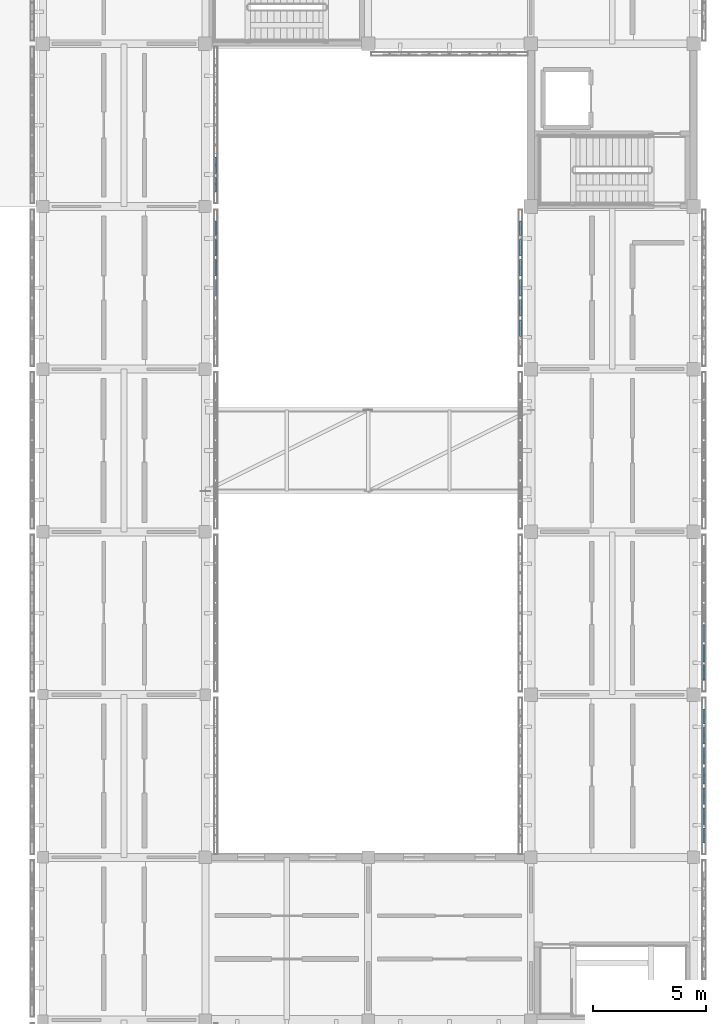
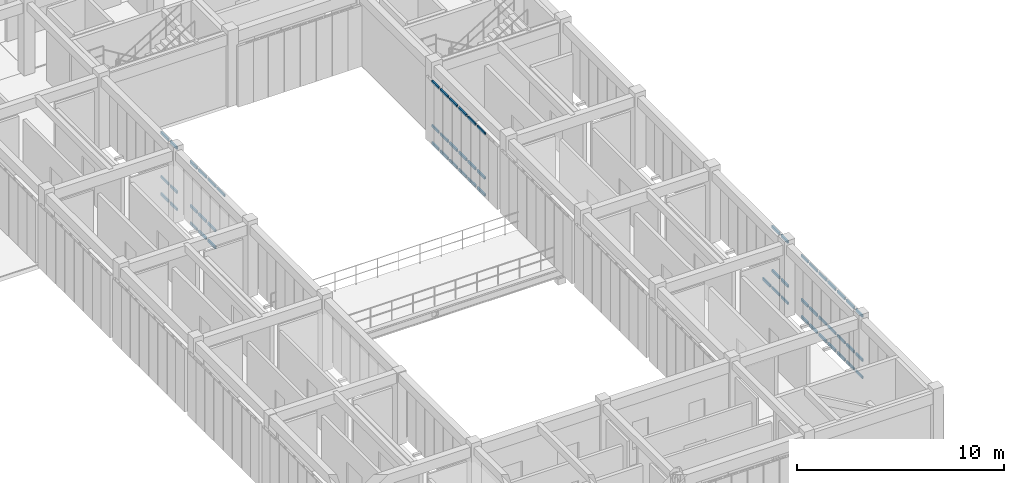
# One storey, part 38 of 91: 62 members, 5 elements without a shape of their own.
"""IFC4 building model written with IfcOpenShell, lengths in metres."""

from ifc_helpers import new_model, si_unit, direction, frame, origin, origin_2d, place, context, subcontext, project, spatial, hollow_rectangle, extrude, material, material_profile, profile_set, type_object, element, aggregate, save


model = new_model("IFC4")

# Units and contexts
model_context = context("Model", 3, precision=1e-05, world=origin(), true_north=direction((0.0, 1.0)))
body_context = subcontext(model_context, "Body", "Model", "MODEL_VIEW")
ifc_project = project(units=[si_unit("LENGTHUNIT", "METRE"), si_unit("AREAUNIT", "SQUARE_METRE"), si_unit("VOLUMEUNIT", "CUBIC_METRE"), si_unit("PLANEANGLEUNIT", "RADIAN"), si_unit("MASSUNIT", "GRAM", prefix="KILO")], contexts=[model_context])

# Site, building, storey
site_placement = place(None, origin())
site = spatial("IfcSite", under=ifc_project, at=site_placement, CompositionType="ELEMENT")
building_placement = place(site_placement, origin())
building = spatial("IfcBuilding", under=site, at=building_placement, Name="Aldebral Square Health Centre", CompositionType="ELEMENT")
storey_placement = place(building_placement, frame((0.0, 0.0, 9.0)))
storey = spatial("IfcBuildingStorey", under=building, at=storey_placement, Name="L02", CompositionType="ELEMENT", Elevation=9.0)

# Curtain wall, members
ifc_material_1 = material(Name="Aluminium and low-E solar glass", Category="aluminium")
curtain_wall_type = type_object("IfcCurtainWallType", Name="CW-FIN-SYS", PredefinedType="USERDEFINED", material=ifc_material_1)
curtain_wall_1_placement = place(storey_placement, origin())
curtain_wall_1 = element("IfcCurtainWall", 1, at=curtain_wall_1_placement, inside=storey, type_object=curtain_wall_type, Name="L02 V5 finned curtain wall L02-V5-19-12-E", ObjectType="SOLAR_CURTAIN_WALL", PredefinedType="USERDEFINED")
ifc_material_2 = material(Name="Anodised aluminium transom", Category="aluminium")
ifc_material_profile = material_profile(ifc_material_2, hollow_rectangle(XDim=0.074951171875, YDim=0.14990234375, WallThickness=0.00390625, at=origin_2d()), Name="CWT 75x150x4")
ifc_profile_set = profile_set([ifc_material_profile], Name="Anodised aluminium transom")
member_type = type_object("IfcMemberType", Name="CWT-STD", PredefinedType="USERDEFINED", material=ifc_profile_set)
member_1_placement = place(storey_placement, frame((144.4599609375, 89.63427734375, 3.652587890625), z_axis=(0.0, 1.0, 0.0), x_axis=(-1.0, 0.0, 0.0)))
member_1 = element("IfcMember", 2, at=member_1_placement, type_object=member_type, Name="CW1 transom 4.3", ObjectType="TRANSOM", PredefinedType="USERDEFINED", context=body_context, shape_type="SweptSolid", body=[
    extrude(hollow_rectangle(XDim=0.074951171875, YDim=0.14990234375, WallThickness=0.00390625, at=origin_2d()), origin(), (0.0, 0.0, 1.0), 0.7314453125),
])
member_2_placement = place(storey_placement, frame((144.4599609375, 90.525634765625, 0.03759765625), z_axis=(0.0, 1.0, 0.0), x_axis=(-1.0, 0.0, 0.0)))
member_2 = element("IfcMember", 3, at=member_2_placement, type_object=member_type, Name="CW1 transom 5.1", ObjectType="TRANSOM", PredefinedType="USERDEFINED", context=body_context, shape_type="SweptSolid", body=[
    extrude(hollow_rectangle(XDim=0.074951171875, YDim=0.14990234375, WallThickness=0.00390625, at=origin_2d()), origin(), (0.0, 0.0, 1.0), 0.7314453125),
])
member_3_placement = place(storey_placement, frame((144.4599609375, 90.525634765625, 1.050048828125), z_axis=(0.0, 1.0, 0.0), x_axis=(-1.0, 0.0, 0.0)))
member_3 = element("IfcMember", 4, at=member_3_placement, type_object=member_type, Name="CW1 transom 5.2", ObjectType="TRANSOM", PredefinedType="USERDEFINED", context=body_context, shape_type="SweptSolid", body=[
    extrude(hollow_rectangle(XDim=0.074951171875, YDim=0.14990234375, WallThickness=0.00390625, at=origin_2d()), origin(), (0.0, 0.0, 1.0), 0.7314453125),
])
member_4_placement = place(storey_placement, frame((144.4599609375, 90.525634765625, 3.652587890625), z_axis=(0.0, 1.0, 0.0), x_axis=(-1.0, 0.0, 0.0)))
member_4 = element("IfcMember", 5, at=member_4_placement, type_object=member_type, Name="CW1 transom 5.3", ObjectType="TRANSOM", PredefinedType="USERDEFINED", context=body_context, shape_type="SweptSolid", body=[
    extrude(hollow_rectangle(XDim=0.074951171875, YDim=0.14990234375, WallThickness=0.00390625, at=origin_2d()), origin(), (0.0, 0.0, 1.0), 0.7314453125),
])
member_5_placement = place(storey_placement, frame((144.4599609375, 91.417236328125, 0.03759765625), z_axis=(0.0, 1.0, 0.0), x_axis=(-1.0, 0.0, 0.0)))
member_5 = element("IfcMember", 6, at=member_5_placement, type_object=member_type, Name="CW1 transom 6.1", ObjectType="TRANSOM", PredefinedType="USERDEFINED", context=body_context, shape_type="SweptSolid", body=[
    extrude(hollow_rectangle(XDim=0.074951171875, YDim=0.14990234375, WallThickness=0.00390625, at=origin_2d()), origin(), (0.0, 0.0, 1.0), 0.7314453125),
])
member_6_placement = place(storey_placement, frame((144.4599609375, 91.417236328125, 1.050048828125), z_axis=(0.0, 1.0, 0.0), x_axis=(-1.0, 0.0, 0.0)))
member_6 = element("IfcMember", 7, at=member_6_placement, type_object=member_type, Name="CW1 transom 6.2", ObjectType="TRANSOM", PredefinedType="USERDEFINED", context=body_context, shape_type="SweptSolid", body=[
    extrude(hollow_rectangle(XDim=0.074951171875, YDim=0.14990234375, WallThickness=0.00390625, at=origin_2d()), origin(), (0.0, 0.0, 1.0), 0.7314453125),
])
member_7_placement = place(storey_placement, frame((144.4599609375, 91.417236328125, 3.652587890625), z_axis=(0.0, 1.0, 0.0), x_axis=(-1.0, 0.0, 0.0)))
member_7 = element("IfcMember", 8, at=member_7_placement, type_object=member_type, Name="CW1 transom 6.3", ObjectType="TRANSOM", PredefinedType="USERDEFINED", context=body_context, shape_type="SweptSolid", body=[
    extrude(hollow_rectangle(XDim=0.074951171875, YDim=0.14990234375, WallThickness=0.00390625, at=origin_2d()), origin(), (0.0, 0.0, 1.0), 0.7314453125),
])
member_8_placement = place(storey_placement, frame((144.4599609375, 92.30859375, 0.03759765625), z_axis=(0.0, 1.0, 0.0), x_axis=(-1.0, 0.0, 0.0)))
member_8 = element("IfcMember", 9, at=member_8_placement, type_object=member_type, Name="CW1 transom 7.1", ObjectType="TRANSOM", PredefinedType="USERDEFINED", context=body_context, shape_type="SweptSolid", body=[
    extrude(hollow_rectangle(XDim=0.074951171875, YDim=0.14990234375, WallThickness=0.00390625, at=origin_2d()), origin(), (0.0, 0.0, 1.0), 0.6513671875),
])
member_9_placement = place(storey_placement, frame((144.4599609375, 92.30859375, 1.050048828125), z_axis=(0.0, 1.0, 0.0), x_axis=(-1.0, 0.0, 0.0)))
member_9 = element("IfcMember", 10, at=member_9_placement, type_object=member_type, Name="CW1 transom 7.2", ObjectType="TRANSOM", PredefinedType="USERDEFINED", context=body_context, shape_type="SweptSolid", body=[
    extrude(hollow_rectangle(XDim=0.074951171875, YDim=0.14990234375, WallThickness=0.00390625, at=origin_2d()), origin(), (0.0, 0.0, 1.0), 0.6513671875),
])
member_10_placement = place(storey_placement, frame((144.4599609375, 92.30859375, 3.652587890625), z_axis=(0.0, 1.0, 0.0), x_axis=(-1.0, 0.0, 0.0)))
member_10 = element("IfcMember", 11, at=member_10_placement, type_object=member_type, Name="CW1 transom 7.3", ObjectType="TRANSOM", PredefinedType="USERDEFINED", context=body_context, shape_type="SweptSolid", body=[
    extrude(hollow_rectangle(XDim=0.074951171875, YDim=0.14990234375, WallThickness=0.00390625, at=origin_2d()), origin(), (0.0, 0.0, 1.0), 0.6513671875),
])
aggregate(curtain_wall_1, [member_1, member_2, member_3, member_4, member_5, member_6, member_7, member_8, member_9, member_10])

curtain_wall_2_placement = place(storey_placement, origin())
curtain_wall_2 = element("IfcCurtainWall", 12, at=curtain_wall_2_placement, inside=storey, type_object=curtain_wall_type, Name="L02 V5 finned curtain wall L02-V5-19-13-E", ObjectType="SOLAR_CURTAIN_WALL", PredefinedType="USERDEFINED")
member_11_placement = place(storey_placement, frame((144.4599609375, 94.239990234375, 0.03759765625), z_axis=(0.0, 1.0, 0.0), x_axis=(-1.0, 0.0, 0.0)))
member_11 = element("IfcMember", 13, at=member_11_placement, type_object=member_type, Name="CW1 transom 1.1", ObjectType="TRANSOM", PredefinedType="USERDEFINED", context=body_context, shape_type="SweptSolid", body=[
    extrude(hollow_rectangle(XDim=0.074951171875, YDim=0.14990234375, WallThickness=0.00390625, at=origin_2d()), origin(), (0.0, 0.0, 1.0), 0.6513671875),
])
member_12_placement = place(storey_placement, frame((144.4599609375, 94.239990234375, 1.050048828125), z_axis=(0.0, 1.0, 0.0), x_axis=(-1.0, 0.0, 0.0)))
member_12 = element("IfcMember", 14, at=member_12_placement, type_object=member_type, Name="CW1 transom 1.2", ObjectType="TRANSOM", PredefinedType="USERDEFINED", context=body_context, shape_type="SweptSolid", body=[
    extrude(hollow_rectangle(XDim=0.074951171875, YDim=0.14990234375, WallThickness=0.00390625, at=origin_2d()), origin(), (0.0, 0.0, 1.0), 0.6513671875),
])
member_13_placement = place(storey_placement, frame((144.4599609375, 94.239990234375, 3.652587890625), z_axis=(0.0, 1.0, 0.0), x_axis=(-1.0, 0.0, 0.0)))
member_13 = element("IfcMember", 15, at=member_13_placement, type_object=member_type, Name="CW1 transom 1.3", ObjectType="TRANSOM", PredefinedType="USERDEFINED", context=body_context, shape_type="SweptSolid", body=[
    extrude(hollow_rectangle(XDim=0.074951171875, YDim=0.14990234375, WallThickness=0.00390625, at=origin_2d()), origin(), (0.0, 0.0, 1.0), 0.6513671875),
])
member_14_placement = place(storey_placement, frame((144.4599609375, 95.051513671875, 0.03759765625), z_axis=(0.0, 1.0, 0.0), x_axis=(-1.0, 0.0, 0.0)))
member_14 = element("IfcMember", 16, at=member_14_placement, type_object=member_type, Name="CW1 transom 2.1", ObjectType="TRANSOM", PredefinedType="USERDEFINED", context=body_context, shape_type="SweptSolid", body=[
    extrude(hollow_rectangle(XDim=0.074951171875, YDim=0.14990234375, WallThickness=0.00390625, at=origin_2d()), origin(), (0.0, 0.0, 1.0), 0.7314453125),
])
member_15_placement = place(storey_placement, frame((144.4599609375, 95.051513671875, 1.050048828125), z_axis=(0.0, 1.0, 0.0), x_axis=(-1.0, 0.0, 0.0)))
member_15 = element("IfcMember", 17, at=member_15_placement, type_object=member_type, Name="CW1 transom 2.2", ObjectType="TRANSOM", PredefinedType="USERDEFINED", context=body_context, shape_type="SweptSolid", body=[
    extrude(hollow_rectangle(XDim=0.074951171875, YDim=0.14990234375, WallThickness=0.00390625, at=origin_2d()), origin(), (0.0, 0.0, 1.0), 0.7314453125),
])
member_16_placement = place(storey_placement, frame((144.4599609375, 95.051513671875, 3.652587890625), z_axis=(0.0, 1.0, 0.0), x_axis=(-1.0, 0.0, 0.0)))
member_16 = element("IfcMember", 18, at=member_16_placement, type_object=member_type, Name="CW1 transom 2.3", ObjectType="TRANSOM", PredefinedType="USERDEFINED", context=body_context, shape_type="SweptSolid", body=[
    extrude(hollow_rectangle(XDim=0.074951171875, YDim=0.14990234375, WallThickness=0.00390625, at=origin_2d()), origin(), (0.0, 0.0, 1.0), 0.7314453125),
])
aggregate(curtain_wall_2, [member_11, member_12, member_13, member_14, member_15, member_16])

curtain_wall_3_placement = place(storey_placement, origin())
curtain_wall_3 = element("IfcCurtainWall", 19, at=curtain_wall_3_placement, inside=storey, type_object=curtain_wall_type, Name="L02 V5 finned curtain wall L02-V5-22-09-E", ObjectType="SOLAR_CURTAIN_WALL", PredefinedType="USERDEFINED")
member_17_placement = place(storey_placement, frame((166.06005859375, 65.43994140625, 0.03759765625), z_axis=(0.0, 1.0, 0.0), x_axis=(-1.0, 0.0, 0.0)))
member_17 = element("IfcMember", 20, at=member_17_placement, type_object=member_type, Name="CW1 transom 1.1", ObjectType="TRANSOM", PredefinedType="USERDEFINED", context=body_context, shape_type="SweptSolid", body=[
    extrude(hollow_rectangle(XDim=0.074951171875, YDim=0.14990234375, WallThickness=0.00390625, at=origin_2d()), origin(), (0.0, 0.0, 1.0), 0.6513671875),
])
member_18_placement = place(storey_placement, frame((166.06005859375, 65.43994140625, 1.050048828125), z_axis=(0.0, 1.0, 0.0), x_axis=(-1.0, 0.0, 0.0)))
member_18 = element("IfcMember", 21, at=member_18_placement, type_object=member_type, Name="CW1 transom 1.2", ObjectType="TRANSOM", PredefinedType="USERDEFINED", context=body_context, shape_type="SweptSolid", body=[
    extrude(hollow_rectangle(XDim=0.074951171875, YDim=0.14990234375, WallThickness=0.00390625, at=origin_2d()), origin(), (0.0, 0.0, 1.0), 0.6513671875),
])
member_19_placement = place(storey_placement, frame((166.06005859375, 65.43994140625, 3.652587890625), z_axis=(0.0, 1.0, 0.0), x_axis=(-1.0, 0.0, 0.0)))
member_19 = element("IfcMember", 22, at=member_19_placement, type_object=member_type, Name="CW1 transom 1.3", ObjectType="TRANSOM", PredefinedType="USERDEFINED", context=body_context, shape_type="SweptSolid", body=[
    extrude(hollow_rectangle(XDim=0.074951171875, YDim=0.14990234375, WallThickness=0.00390625, at=origin_2d()), origin(), (0.0, 0.0, 1.0), 0.6513671875),
])
member_20_placement = place(storey_placement, frame((166.06005859375, 66.25146484375, 0.03759765625), z_axis=(0.0, 1.0, 0.0), x_axis=(-1.0, 0.0, 0.0)))
member_20 = element("IfcMember", 23, at=member_20_placement, type_object=member_type, Name="CW1 transom 2.1", ObjectType="TRANSOM", PredefinedType="USERDEFINED", context=body_context, shape_type="SweptSolid", body=[
    extrude(hollow_rectangle(XDim=0.074951171875, YDim=0.14990234375, WallThickness=0.00390625, at=origin_2d()), origin(), (0.0, 0.0, 1.0), 0.7314453125),
])
member_21_placement = place(storey_placement, frame((166.06005859375, 66.25146484375, 1.050048828125), z_axis=(0.0, 1.0, 0.0), x_axis=(-1.0, 0.0, 0.0)))
member_21 = element("IfcMember", 24, at=member_21_placement, type_object=member_type, Name="CW1 transom 2.2", ObjectType="TRANSOM", PredefinedType="USERDEFINED", context=body_context, shape_type="SweptSolid", body=[
    extrude(hollow_rectangle(XDim=0.074951171875, YDim=0.14990234375, WallThickness=0.00390625, at=origin_2d()), origin(), (0.0, 0.0, 1.0), 0.7314453125),
])
member_22_placement = place(storey_placement, frame((166.06005859375, 66.25146484375, 3.652587890625), z_axis=(0.0, 1.0, 0.0), x_axis=(-1.0, 0.0, 0.0)))
member_22 = element("IfcMember", 25, at=member_22_placement, type_object=member_type, Name="CW1 transom 2.3", ObjectType="TRANSOM", PredefinedType="USERDEFINED", context=body_context, shape_type="SweptSolid", body=[
    extrude(hollow_rectangle(XDim=0.074951171875, YDim=0.14990234375, WallThickness=0.00390625, at=origin_2d()), origin(), (0.0, 0.0, 1.0), 0.7314453125),
])
member_23_placement = place(storey_placement, frame((166.06005859375, 67.142822265625, 0.03759765625), z_axis=(0.0, 1.0, 0.0), x_axis=(-1.0, 0.0, 0.0)))
member_23 = element("IfcMember", 26, at=member_23_placement, type_object=member_type, Name="CW1 transom 3.1", ObjectType="TRANSOM", PredefinedType="USERDEFINED", context=body_context, shape_type="SweptSolid", body=[
    extrude(hollow_rectangle(XDim=0.074951171875, YDim=0.14990234375, WallThickness=0.00390625, at=origin_2d()), origin(), (0.0, 0.0, 1.0), 0.7314453125),
])
member_24_placement = place(storey_placement, frame((166.06005859375, 67.142822265625, 1.050048828125), z_axis=(0.0, 1.0, 0.0), x_axis=(-1.0, 0.0, 0.0)))
member_24 = element("IfcMember", 27, at=member_24_placement, type_object=member_type, Name="CW1 transom 3.2", ObjectType="TRANSOM", PredefinedType="USERDEFINED", context=body_context, shape_type="SweptSolid", body=[
    extrude(hollow_rectangle(XDim=0.074951171875, YDim=0.14990234375, WallThickness=0.00390625, at=origin_2d()), origin(), (0.0, 0.0, 1.0), 0.7314453125),
])
member_25_placement = place(storey_placement, frame((166.06005859375, 67.142822265625, 3.652587890625), z_axis=(0.0, 1.0, 0.0), x_axis=(-1.0, 0.0, 0.0)))
member_25 = element("IfcMember", 28, at=member_25_placement, type_object=member_type, Name="CW1 transom 3.3", ObjectType="TRANSOM", PredefinedType="USERDEFINED", context=body_context, shape_type="SweptSolid", body=[
    extrude(hollow_rectangle(XDim=0.074951171875, YDim=0.14990234375, WallThickness=0.00390625, at=origin_2d()), origin(), (0.0, 0.0, 1.0), 0.7314453125),
])
member_26_placement = place(storey_placement, frame((166.06005859375, 68.0341796875, 0.03759765625), z_axis=(0.0, 1.0, 0.0), x_axis=(-1.0, 0.0, 0.0)))
member_26 = element("IfcMember", 29, at=member_26_placement, type_object=member_type, Name="CW1 transom 4.1", ObjectType="TRANSOM", PredefinedType="USERDEFINED", context=body_context, shape_type="SweptSolid", body=[
    extrude(hollow_rectangle(XDim=0.074951171875, YDim=0.14990234375, WallThickness=0.00390625, at=origin_2d()), origin(), (0.0, 0.0, 1.0), 0.7314453125),
])
member_27_placement = place(storey_placement, frame((166.06005859375, 68.0341796875, 1.050048828125), z_axis=(0.0, 1.0, 0.0), x_axis=(-1.0, 0.0, 0.0)))
member_27 = element("IfcMember", 30, at=member_27_placement, type_object=member_type, Name="CW1 transom 4.2", ObjectType="TRANSOM", PredefinedType="USERDEFINED", context=body_context, shape_type="SweptSolid", body=[
    extrude(hollow_rectangle(XDim=0.074951171875, YDim=0.14990234375, WallThickness=0.00390625, at=origin_2d()), origin(), (0.0, 0.0, 1.0), 0.7314453125),
])
member_28_placement = place(storey_placement, frame((166.06005859375, 68.0341796875, 3.652587890625), z_axis=(0.0, 1.0, 0.0), x_axis=(-1.0, 0.0, 0.0)))
member_28 = element("IfcMember", 31, at=member_28_placement, type_object=member_type, Name="CW1 transom 4.3", ObjectType="TRANSOM", PredefinedType="USERDEFINED", context=body_context, shape_type="SweptSolid", body=[
    extrude(hollow_rectangle(XDim=0.074951171875, YDim=0.14990234375, WallThickness=0.00390625, at=origin_2d()), origin(), (0.0, 0.0, 1.0), 0.7314453125),
])
member_29_placement = place(storey_placement, frame((166.06005859375, 68.92578125, 0.03759765625), z_axis=(0.0, 1.0, 0.0), x_axis=(-1.0, 0.0, 0.0)))
member_29 = element("IfcMember", 32, at=member_29_placement, type_object=member_type, Name="CW1 transom 5.1", ObjectType="TRANSOM", PredefinedType="USERDEFINED", context=body_context, shape_type="SweptSolid", body=[
    extrude(hollow_rectangle(XDim=0.074951171875, YDim=0.14990234375, WallThickness=0.00390625, at=origin_2d()), origin(), (0.0, 0.0, 1.0), 0.7314453125),
])
member_30_placement = place(storey_placement, frame((166.06005859375, 68.92578125, 1.050048828125), z_axis=(0.0, 1.0, 0.0), x_axis=(-1.0, 0.0, 0.0)))
member_30 = element("IfcMember", 33, at=member_30_placement, type_object=member_type, Name="CW1 transom 5.2", ObjectType="TRANSOM", PredefinedType="USERDEFINED", context=body_context, shape_type="SweptSolid", body=[
    extrude(hollow_rectangle(XDim=0.074951171875, YDim=0.14990234375, WallThickness=0.00390625, at=origin_2d()), origin(), (0.0, 0.0, 1.0), 0.7314453125),
])
member_31_placement = place(storey_placement, frame((166.06005859375, 68.92578125, 3.652587890625), z_axis=(0.0, 1.0, 0.0), x_axis=(-1.0, 0.0, 0.0)))
member_31 = element("IfcMember", 34, at=member_31_placement, type_object=member_type, Name="CW1 transom 5.3", ObjectType="TRANSOM", PredefinedType="USERDEFINED", context=body_context, shape_type="SweptSolid", body=[
    extrude(hollow_rectangle(XDim=0.074951171875, YDim=0.14990234375, WallThickness=0.00390625, at=origin_2d()), origin(), (0.0, 0.0, 1.0), 0.7314453125),
])
member_32_placement = place(storey_placement, frame((166.06005859375, 69.817138671875, 0.03759765625), z_axis=(0.0, 1.0, 0.0), x_axis=(-1.0, 0.0, 0.0)))
member_32 = element("IfcMember", 35, at=member_32_placement, type_object=member_type, Name="CW1 transom 6.1", ObjectType="TRANSOM", PredefinedType="USERDEFINED", context=body_context, shape_type="SweptSolid", body=[
    extrude(hollow_rectangle(XDim=0.074951171875, YDim=0.14990234375, WallThickness=0.00390625, at=origin_2d()), origin(), (0.0, 0.0, 1.0), 0.7314453125),
])
member_33_placement = place(storey_placement, frame((166.06005859375, 69.817138671875, 1.050048828125), z_axis=(0.0, 1.0, 0.0), x_axis=(-1.0, 0.0, 0.0)))
member_33 = element("IfcMember", 36, at=member_33_placement, type_object=member_type, Name="CW1 transom 6.2", ObjectType="TRANSOM", PredefinedType="USERDEFINED", context=body_context, shape_type="SweptSolid", body=[
    extrude(hollow_rectangle(XDim=0.074951171875, YDim=0.14990234375, WallThickness=0.00390625, at=origin_2d()), origin(), (0.0, 0.0, 1.0), 0.7314453125),
])
member_34_placement = place(storey_placement, frame((166.06005859375, 69.817138671875, 3.652587890625), z_axis=(0.0, 1.0, 0.0), x_axis=(-1.0, 0.0, 0.0)))
member_34 = element("IfcMember", 37, at=member_34_placement, type_object=member_type, Name="CW1 transom 6.3", ObjectType="TRANSOM", PredefinedType="USERDEFINED", context=body_context, shape_type="SweptSolid", body=[
    extrude(hollow_rectangle(XDim=0.074951171875, YDim=0.14990234375, WallThickness=0.00390625, at=origin_2d()), origin(), (0.0, 0.0, 1.0), 0.7314453125),
])
member_35_placement = place(storey_placement, frame((166.06005859375, 70.70849609375, 0.03759765625), z_axis=(0.0, 1.0, 0.0), x_axis=(-1.0, 0.0, 0.0)))
member_35 = element("IfcMember", 38, at=member_35_placement, type_object=member_type, Name="CW1 transom 7.1", ObjectType="TRANSOM", PredefinedType="USERDEFINED", context=body_context, shape_type="SweptSolid", body=[
    extrude(hollow_rectangle(XDim=0.074951171875, YDim=0.14990234375, WallThickness=0.00390625, at=origin_2d()), origin(), (0.0, 0.0, 1.0), 0.651611328125),
])
member_36_placement = place(storey_placement, frame((166.06005859375, 70.70849609375, 1.050048828125), z_axis=(0.0, 1.0, 0.0), x_axis=(-1.0, 0.0, 0.0)))
member_36 = element("IfcMember", 39, at=member_36_placement, type_object=member_type, Name="CW1 transom 7.2", ObjectType="TRANSOM", PredefinedType="USERDEFINED", context=body_context, shape_type="SweptSolid", body=[
    extrude(hollow_rectangle(XDim=0.074951171875, YDim=0.14990234375, WallThickness=0.00390625, at=origin_2d()), origin(), (0.0, 0.0, 1.0), 0.651611328125),
])
member_37_placement = place(storey_placement, frame((166.06005859375, 70.70849609375, 3.652587890625), z_axis=(0.0, 1.0, 0.0), x_axis=(-1.0, 0.0, 0.0)))
member_37 = element("IfcMember", 40, at=member_37_placement, type_object=member_type, Name="CW1 transom 7.3", ObjectType="TRANSOM", PredefinedType="USERDEFINED", context=body_context, shape_type="SweptSolid", body=[
    extrude(hollow_rectangle(XDim=0.074951171875, YDim=0.14990234375, WallThickness=0.00390625, at=origin_2d()), origin(), (0.0, 0.0, 1.0), 0.651611328125),
])
aggregate(curtain_wall_3, [member_17, member_18, member_19, member_20, member_21, member_22, member_23, member_24, member_25, member_26, member_27, member_28, member_29, member_30, member_31, member_32, member_33, member_34, member_35, member_36, member_37])

curtain_wall_4_placement = place(storey_placement, origin())
curtain_wall_4 = element("IfcCurtainWall", 41, at=curtain_wall_4_placement, inside=storey, type_object=curtain_wall_type, Name="L02 V5 finned curtain wall L02-V5-22-10-E", ObjectType="SOLAR_CURTAIN_WALL", PredefinedType="USERDEFINED")
member_38_placement = place(storey_placement, frame((166.06005859375, 72.639892578125, 0.03759765625), z_axis=(0.0, 1.0, 0.0), x_axis=(-1.0, 0.0, 0.0)))
member_38 = element("IfcMember", 42, at=member_38_placement, type_object=member_type, Name="CW1 transom 1.1", ObjectType="TRANSOM", PredefinedType="USERDEFINED", context=body_context, shape_type="SweptSolid", body=[
    extrude(hollow_rectangle(XDim=0.074951171875, YDim=0.14990234375, WallThickness=0.00390625, at=origin_2d()), origin(), (0.0, 0.0, 1.0), 0.651611328125),
])
member_39_placement = place(storey_placement, frame((166.06005859375, 72.639892578125, 1.050048828125), z_axis=(0.0, 1.0, 0.0), x_axis=(-1.0, 0.0, 0.0)))
member_39 = element("IfcMember", 43, at=member_39_placement, type_object=member_type, Name="CW1 transom 1.2", ObjectType="TRANSOM", PredefinedType="USERDEFINED", context=body_context, shape_type="SweptSolid", body=[
    extrude(hollow_rectangle(XDim=0.074951171875, YDim=0.14990234375, WallThickness=0.00390625, at=origin_2d()), origin(), (0.0, 0.0, 1.0), 0.651611328125),
])
member_40_placement = place(storey_placement, frame((166.06005859375, 72.639892578125, 3.652587890625), z_axis=(0.0, 1.0, 0.0), x_axis=(-1.0, 0.0, 0.0)))
member_40 = element("IfcMember", 44, at=member_40_placement, type_object=member_type, Name="CW1 transom 1.3", ObjectType="TRANSOM", PredefinedType="USERDEFINED", context=body_context, shape_type="SweptSolid", body=[
    extrude(hollow_rectangle(XDim=0.074951171875, YDim=0.14990234375, WallThickness=0.00390625, at=origin_2d()), origin(), (0.0, 0.0, 1.0), 0.651611328125),
])
member_41_placement = place(storey_placement, frame((166.06005859375, 73.451416015625, 0.03759765625), z_axis=(0.0, 1.0, 0.0), x_axis=(-1.0, 0.0, 0.0)))
member_41 = element("IfcMember", 45, at=member_41_placement, type_object=member_type, Name="CW1 transom 2.1", ObjectType="TRANSOM", PredefinedType="USERDEFINED", context=body_context, shape_type="SweptSolid", body=[
    extrude(hollow_rectangle(XDim=0.074951171875, YDim=0.14990234375, WallThickness=0.00390625, at=origin_2d()), origin(), (0.0, 0.0, 1.0), 0.7314453125),
])
member_42_placement = place(storey_placement, frame((166.06005859375, 73.451416015625, 1.050048828125), z_axis=(0.0, 1.0, 0.0), x_axis=(-1.0, 0.0, 0.0)))
member_42 = element("IfcMember", 46, at=member_42_placement, type_object=member_type, Name="CW1 transom 2.2", ObjectType="TRANSOM", PredefinedType="USERDEFINED", context=body_context, shape_type="SweptSolid", body=[
    extrude(hollow_rectangle(XDim=0.074951171875, YDim=0.14990234375, WallThickness=0.00390625, at=origin_2d()), origin(), (0.0, 0.0, 1.0), 0.7314453125),
])
member_43_placement = place(storey_placement, frame((166.06005859375, 73.451416015625, 3.652587890625), z_axis=(0.0, 1.0, 0.0), x_axis=(-1.0, 0.0, 0.0)))
member_43 = element("IfcMember", 47, at=member_43_placement, type_object=member_type, Name="CW1 transom 2.3", ObjectType="TRANSOM", PredefinedType="USERDEFINED", context=body_context, shape_type="SweptSolid", body=[
    extrude(hollow_rectangle(XDim=0.074951171875, YDim=0.14990234375, WallThickness=0.00390625, at=origin_2d()), origin(), (0.0, 0.0, 1.0), 0.7314453125),
])
member_44_placement = place(storey_placement, frame((166.06005859375, 74.3427734375, 0.03759765625), z_axis=(0.0, 1.0, 0.0), x_axis=(-1.0, 0.0, 0.0)))
member_44 = element("IfcMember", 48, at=member_44_placement, type_object=member_type, Name="CW1 transom 3.1", ObjectType="TRANSOM", PredefinedType="USERDEFINED", context=body_context, shape_type="SweptSolid", body=[
    extrude(hollow_rectangle(XDim=0.074951171875, YDim=0.14990234375, WallThickness=0.00390625, at=origin_2d()), origin(), (0.0, 0.0, 1.0), 0.7314453125),
])
aggregate(curtain_wall_4, [member_38, member_39, member_40, member_41, member_42, member_43, member_44])

curtain_wall_5_placement = place(storey_placement, origin())
curtain_wall_5 = element("IfcCurtainWall", 49, at=curtain_wall_5_placement, inside=storey, type_object=curtain_wall_type, Name="L02 V5 finned curtain wall L02-V5-22-12-W", ObjectType="SOLAR_CURTAIN_WALL", PredefinedType="USERDEFINED")
member_45_placement = place(storey_placement, frame((157.93994140625, 92.9599609375, 0.03759765625), z_axis=(0.0, -1.0, 0.0), x_axis=(1.0, 0.0, 0.0)))
member_45 = element("IfcMember", 50, at=member_45_placement, type_object=member_type, Name="CW1 transom 1.1", ObjectType="TRANSOM", PredefinedType="USERDEFINED", context=body_context, shape_type="SweptSolid", body=[
    extrude(hollow_rectangle(XDim=0.074951171875, YDim=0.14990234375, WallThickness=0.00390625, at=origin_2d()), origin(), (0.0, 0.0, 1.0), 0.6513671875),
])
member_46_placement = place(storey_placement, frame((157.93994140625, 92.9599609375, 1.050048828125), z_axis=(0.0, -1.0, 0.0), x_axis=(1.0, 0.0, 0.0)))
member_46 = element("IfcMember", 51, at=member_46_placement, type_object=member_type, Name="CW1 transom 1.2", ObjectType="TRANSOM", PredefinedType="USERDEFINED", context=body_context, shape_type="SweptSolid", body=[
    extrude(hollow_rectangle(XDim=0.074951171875, YDim=0.14990234375, WallThickness=0.00390625, at=origin_2d()), origin(), (0.0, 0.0, 1.0), 0.6513671875),
])
member_47_placement = place(storey_placement, frame((157.93994140625, 92.9599609375, 3.652587890625), z_axis=(0.0, -1.0, 0.0), x_axis=(1.0, 0.0, 0.0)))
member_47 = element("IfcMember", 52, at=member_47_placement, type_object=member_type, Name="CW1 transom 1.3", ObjectType="TRANSOM", PredefinedType="USERDEFINED", context=body_context, shape_type="SweptSolid", body=[
    extrude(hollow_rectangle(XDim=0.074951171875, YDim=0.14990234375, WallThickness=0.00390625, at=origin_2d()), origin(), (0.0, 0.0, 1.0), 0.6513671875),
])
member_48_placement = place(storey_placement, frame((157.93994140625, 92.148681640625, 0.03759765625), z_axis=(0.0, -1.0, 0.0), x_axis=(1.0, 0.0, 0.0)))
member_48 = element("IfcMember", 53, at=member_48_placement, type_object=member_type, Name="CW1 transom 2.1", ObjectType="TRANSOM", PredefinedType="USERDEFINED", context=body_context, shape_type="SweptSolid", body=[
    extrude(hollow_rectangle(XDim=0.074951171875, YDim=0.14990234375, WallThickness=0.00390625, at=origin_2d()), origin(), (0.0, 0.0, 1.0), 0.7314453125),
])
member_49_placement = place(storey_placement, frame((157.93994140625, 92.148681640625, 1.050048828125), z_axis=(0.0, -1.0, 0.0), x_axis=(1.0, 0.0, 0.0)))
member_49 = element("IfcMember", 54, at=member_49_placement, type_object=member_type, Name="CW1 transom 2.2", ObjectType="TRANSOM", PredefinedType="USERDEFINED", context=body_context, shape_type="SweptSolid", body=[
    extrude(hollow_rectangle(XDim=0.074951171875, YDim=0.14990234375, WallThickness=0.00390625, at=origin_2d()), origin(), (0.0, 0.0, 1.0), 0.7314453125),
])
member_50_placement = place(storey_placement, frame((157.93994140625, 92.148681640625, 3.652587890625), z_axis=(0.0, -1.0, 0.0), x_axis=(1.0, 0.0, 0.0)))
member_50 = element("IfcMember", 55, at=member_50_placement, type_object=member_type, Name="CW1 transom 2.3", ObjectType="TRANSOM", PredefinedType="USERDEFINED", context=body_context, shape_type="SweptSolid", body=[
    extrude(hollow_rectangle(XDim=0.074951171875, YDim=0.14990234375, WallThickness=0.00390625, at=origin_2d()), origin(), (0.0, 0.0, 1.0), 0.7314453125),
])
member_51_placement = place(storey_placement, frame((157.93994140625, 91.257080078125, 0.03759765625), z_axis=(0.0, -1.0, 0.0), x_axis=(1.0, 0.0, 0.0)))
member_51 = element("IfcMember", 56, at=member_51_placement, type_object=member_type, Name="CW1 transom 3.1", ObjectType="TRANSOM", PredefinedType="USERDEFINED", context=body_context, shape_type="SweptSolid", body=[
    extrude(hollow_rectangle(XDim=0.074951171875, YDim=0.14990234375, WallThickness=0.00390625, at=origin_2d()), origin(), (0.0, 0.0, 1.0), 0.7314453125),
])
member_52_placement = place(storey_placement, frame((157.93994140625, 91.257080078125, 1.050048828125), z_axis=(0.0, -1.0, 0.0), x_axis=(1.0, 0.0, 0.0)))
member_52 = element("IfcMember", 57, at=member_52_placement, type_object=member_type, Name="CW1 transom 3.2", ObjectType="TRANSOM", PredefinedType="USERDEFINED", context=body_context, shape_type="SweptSolid", body=[
    extrude(hollow_rectangle(XDim=0.074951171875, YDim=0.14990234375, WallThickness=0.00390625, at=origin_2d()), origin(), (0.0, 0.0, 1.0), 0.7314453125),
])
member_53_placement = place(storey_placement, frame((157.93994140625, 91.257080078125, 3.652587890625), z_axis=(0.0, -1.0, 0.0), x_axis=(1.0, 0.0, 0.0)))
member_53 = element("IfcMember", 58, at=member_53_placement, type_object=member_type, Name="CW1 transom 3.3", ObjectType="TRANSOM", PredefinedType="USERDEFINED", context=body_context, shape_type="SweptSolid", body=[
    extrude(hollow_rectangle(XDim=0.074951171875, YDim=0.14990234375, WallThickness=0.00390625, at=origin_2d()), origin(), (0.0, 0.0, 1.0), 0.7314453125),
])
member_54_placement = place(storey_placement, frame((157.93994140625, 90.36572265625, 0.03759765625), z_axis=(0.0, -1.0, 0.0), x_axis=(1.0, 0.0, 0.0)))
member_54 = element("IfcMember", 59, at=member_54_placement, type_object=member_type, Name="CW1 transom 4.1", ObjectType="TRANSOM", PredefinedType="USERDEFINED", context=body_context, shape_type="SweptSolid", body=[
    extrude(hollow_rectangle(XDim=0.074951171875, YDim=0.14990234375, WallThickness=0.00390625, at=origin_2d()), origin(), (0.0, 0.0, 1.0), 0.7314453125),
])
member_55_placement = place(storey_placement, frame((157.93994140625, 90.36572265625, 1.050048828125), z_axis=(0.0, -1.0, 0.0), x_axis=(1.0, 0.0, 0.0)))
member_55 = element("IfcMember", 60, at=member_55_placement, type_object=member_type, Name="CW1 transom 4.2", ObjectType="TRANSOM", PredefinedType="USERDEFINED", context=body_context, shape_type="SweptSolid", body=[
    extrude(hollow_rectangle(XDim=0.074951171875, YDim=0.14990234375, WallThickness=0.00390625, at=origin_2d()), origin(), (0.0, 0.0, 1.0), 0.7314453125),
])
member_56_placement = place(storey_placement, frame((157.93994140625, 90.36572265625, 3.652587890625), z_axis=(0.0, -1.0, 0.0), x_axis=(1.0, 0.0, 0.0)))
member_56 = element("IfcMember", 61, at=member_56_placement, type_object=member_type, Name="CW1 transom 4.3", ObjectType="TRANSOM", PredefinedType="USERDEFINED", context=body_context, shape_type="SweptSolid", body=[
    extrude(hollow_rectangle(XDim=0.074951171875, YDim=0.14990234375, WallThickness=0.00390625, at=origin_2d()), origin(), (0.0, 0.0, 1.0), 0.7314453125),
])
member_57_placement = place(storey_placement, frame((157.93994140625, 89.474365234375, 0.03759765625), z_axis=(0.0, -1.0, 0.0), x_axis=(1.0, 0.0, 0.0)))
member_57 = element("IfcMember", 62, at=member_57_placement, type_object=member_type, Name="CW1 transom 5.1", ObjectType="TRANSOM", PredefinedType="USERDEFINED", context=body_context, shape_type="SweptSolid", body=[
    extrude(hollow_rectangle(XDim=0.074951171875, YDim=0.14990234375, WallThickness=0.00390625, at=origin_2d()), origin(), (0.0, 0.0, 1.0), 0.7314453125),
])
member_58_placement = place(storey_placement, frame((157.93994140625, 89.474365234375, 1.050048828125), z_axis=(0.0, -1.0, 0.0), x_axis=(1.0, 0.0, 0.0)))
member_58 = element("IfcMember", 63, at=member_58_placement, type_object=member_type, Name="CW1 transom 5.2", ObjectType="TRANSOM", PredefinedType="USERDEFINED", context=body_context, shape_type="SweptSolid", body=[
    extrude(hollow_rectangle(XDim=0.074951171875, YDim=0.14990234375, WallThickness=0.00390625, at=origin_2d()), origin(), (0.0, 0.0, 1.0), 0.7314453125),
])
member_59_placement = place(storey_placement, frame((157.93994140625, 89.474365234375, 3.652587890625), z_axis=(0.0, -1.0, 0.0), x_axis=(1.0, 0.0, 0.0)))
member_59 = element("IfcMember", 64, at=member_59_placement, type_object=member_type, Name="CW1 transom 5.3", ObjectType="TRANSOM", PredefinedType="USERDEFINED", context=body_context, shape_type="SweptSolid", body=[
    extrude(hollow_rectangle(XDim=0.074951171875, YDim=0.14990234375, WallThickness=0.00390625, at=origin_2d()), origin(), (0.0, 0.0, 1.0), 0.7314453125),
])
member_60_placement = place(storey_placement, frame((157.93994140625, 88.582763671875, 0.03759765625), z_axis=(0.0, -1.0, 0.0), x_axis=(1.0, 0.0, 0.0)))
member_60 = element("IfcMember", 65, at=member_60_placement, type_object=member_type, Name="CW1 transom 6.1", ObjectType="TRANSOM", PredefinedType="USERDEFINED", context=body_context, shape_type="SweptSolid", body=[
    extrude(hollow_rectangle(XDim=0.074951171875, YDim=0.14990234375, WallThickness=0.00390625, at=origin_2d()), origin(), (0.0, 0.0, 1.0), 0.7314453125),
])
member_61_placement = place(storey_placement, frame((157.93994140625, 88.582763671875, 1.050048828125), z_axis=(0.0, -1.0, 0.0), x_axis=(1.0, 0.0, 0.0)))
member_61 = element("IfcMember", 66, at=member_61_placement, type_object=member_type, Name="CW1 transom 6.2", ObjectType="TRANSOM", PredefinedType="USERDEFINED", context=body_context, shape_type="SweptSolid", body=[
    extrude(hollow_rectangle(XDim=0.074951171875, YDim=0.14990234375, WallThickness=0.00390625, at=origin_2d()), origin(), (0.0, 0.0, 1.0), 0.7314453125),
])
member_62_placement = place(storey_placement, frame((157.93994140625, 88.582763671875, 3.652587890625), z_axis=(0.0, -1.0, 0.0), x_axis=(1.0, 0.0, 0.0)))
member_62 = element("IfcMember", 67, at=member_62_placement, type_object=member_type, Name="CW1 transom 6.3", ObjectType="TRANSOM", PredefinedType="USERDEFINED", context=body_context, shape_type="SweptSolid", body=[
    extrude(hollow_rectangle(XDim=0.074951171875, YDim=0.14990234375, WallThickness=0.00390625, at=origin_2d()), origin(), (0.0, 0.0, 1.0), 0.7314453125),
])
aggregate(curtain_wall_5, [member_45, member_46, member_47, member_48, member_49, member_50, member_51, member_52, member_53, member_54, member_55, member_56, member_57, member_58, member_59, member_60, member_61, member_62])

save(model, "model.ifc")
